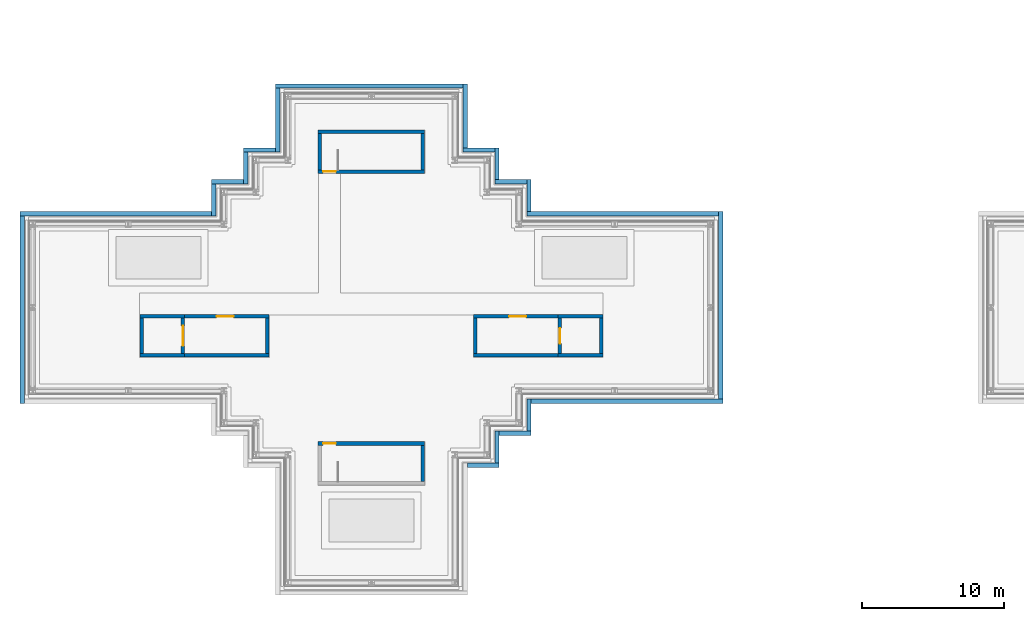
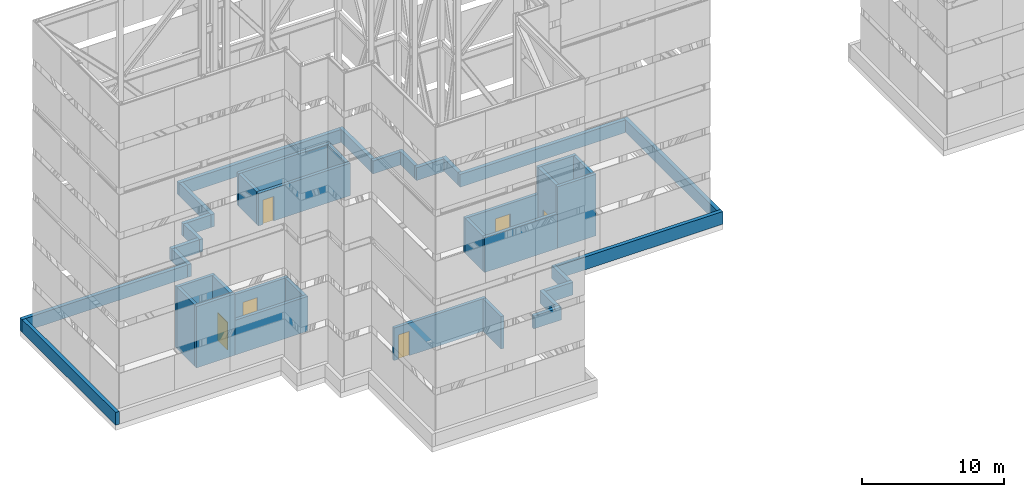
# One storey, part 10 of 19: 40 walls, 6 doors, 6 openings.
"""IFC4 building model written with IfcOpenShell, lengths in metres."""

from ifc_helpers import new_model, si_unit, direction, frame, frame_2d, origin, place, context, subcontext, project, spatial, rectangle, extrude, material, layer, layer_set, type_object, element, fill, save


model = new_model("IFC4")

# Units and contexts
model_context = context("Model", 3, precision=1e-05, world=origin(), true_north=direction((0.0, 1.0)))
body_context = subcontext(model_context, "Body", "Model", "MODEL_VIEW")
ifc_project = project(units=[si_unit("LENGTHUNIT", "METRE"), si_unit("AREAUNIT", "SQUARE_METRE"), si_unit("VOLUMEUNIT", "CUBIC_METRE"), si_unit("PLANEANGLEUNIT", "RADIAN"), si_unit("MASSUNIT", "GRAM", prefix="KILO")], contexts=[model_context])

# Site, building, storey
site_placement = place(None, origin())
site = spatial("IfcSite", under=ifc_project, at=site_placement, CompositionType="ELEMENT")
building_placement = place(site_placement, origin())
building = spatial("IfcBuilding", under=site, at=building_placement, Name="Shamsa Quay Exchange Towers", CompositionType="ELEMENT")
storey_placement = place(building_placement, frame((0.0, 0.0, 284.300048828125)))
storey = spatial("IfcBuildingStorey", under=building, at=storey_placement, Name="Roof", CompositionType="ELEMENT", Elevation=284.300048828125)

# Walls
ifc_material_1 = material(Name="Reinforced concrete C30/37", Category="concrete")
ifc_layer_1 = layer(ifc_material_1, 0.300048828125)
ifc_layer_set_1 = layer_set([ifc_layer_1], Name="ROOF PARAPET 300 C30/37")
wall_type_1 = type_object("IfcWallType", Name="ROOF PARAPET 300 C30/37", PredefinedType="PARAPET", material=ifc_layer_set_1)
wall_1_placement = place(storey_placement, frame((-27.0, -11.10009765625, 0.0)))
element("IfcWall", 1, at=wall_1_placement, inside=storey, type_object=wall_type_1, Name="Parapet T1 7", PredefinedType="PARAPET", context=body_context, shape_type="SweptSolid", body=[
    extrude(rectangle(XDim=2.25, YDim=0.300048828125, at=frame_2d((1.125, 0.0))), origin(), (0.0, 0.0, 1.0), 1.099853515625),
])
wall_2_placement = place(storey_placement, frame((-24.89990234375, -10.949951171875, 0.0), z_axis=(0.0, 0.0, 1.0), x_axis=(0.0, 1.0, 0.0)))
element("IfcWall", 2, at=wall_2_placement, inside=storey, type_object=wall_type_1, Name="Parapet T1 8", PredefinedType="PARAPET", context=body_context, shape_type="SweptSolid", body=[
    extrude(rectangle(XDim=2.25, YDim=0.300048828125, at=frame_2d((1.125, 0.0))), origin(), (0.0, 0.0, 1.0), 1.099853515625),
])
wall_3_placement = place(storey_placement, frame((-24.75, -8.85009765625, 0.0)))
element("IfcWall", 3, at=wall_3_placement, inside=storey, type_object=wall_type_1, Name="Parapet T1 9", PredefinedType="PARAPET", context=body_context, shape_type="SweptSolid", body=[
    extrude(rectangle(XDim=2.25, YDim=0.300048828125, at=frame_2d((1.125, 0.0))), origin(), (0.0, 0.0, 1.0), 1.099853515625),
])
wall_4_placement = place(storey_placement, frame((-22.64990234375, -8.699951171875, 0.0), z_axis=(0.0, 0.0, 1.0), x_axis=(0.0, 1.0, 0.0)))
element("IfcWall", 4, at=wall_4_placement, inside=storey, type_object=wall_type_1, Name="Parapet T1 10", PredefinedType="PARAPET", context=body_context, shape_type="SweptSolid", body=[
    extrude(rectangle(XDim=2.25, YDim=0.300048828125, at=frame_2d((1.125, 0.0))), origin(), (0.0, 0.0, 1.0), 1.099853515625),
])
wall_5_placement = place(storey_placement, frame((-22.5, -6.60009765625, 0.0)))
element("IfcWall", 5, at=wall_5_placement, inside=storey, type_object=wall_type_1, Name="Parapet T1 11", PredefinedType="PARAPET", context=body_context, shape_type="SweptSolid", body=[
    extrude(rectangle(XDim=13.5, YDim=0.300048828125, at=frame_2d((6.75, 0.0))), origin(), (0.0, 0.0, 1.0), 1.099853515625),
])
wall_6_placement = place(storey_placement, frame((-9.14990234375, -6.449951171875, 0.0), z_axis=(0.0, 0.0, 1.0), x_axis=(0.0, 1.0, 0.0)))
element("IfcWall", 6, at=wall_6_placement, inside=storey, type_object=wall_type_1, Name="Parapet T1 12", PredefinedType="PARAPET", context=body_context, shape_type="SweptSolid", body=[
    extrude(rectangle(XDim=13.199951171875, YDim=0.300048828125, at=frame_2d((6.60009765625, 0.0))), origin(), (0.0, 0.0, 1.0), 1.099853515625),
])
wall_7_placement = place(storey_placement, frame((-9.300048828125, 6.60009765625, 0.0), z_axis=(0.0, 0.0, 1.0), x_axis=(-1.0, 0.0, 0.0)))
element("IfcWall", 7, at=wall_7_placement, inside=storey, type_object=wall_type_1, Name="Parapet T1 13", PredefinedType="PARAPET", context=body_context, shape_type="SweptSolid", body=[
    extrude(rectangle(XDim=13.5, YDim=0.300048828125, at=frame_2d((6.75, 0.0))), origin(), (0.0, 0.0, 1.0), 1.099853515625),
])
for number, where, z_axis, x_axis, name in (
    (8, (-22.64990234375, 6.75, 0.0), (0.0, 0.0, 1.0), (0.0, 1.0, 0.0), "Parapet T1 14"),
    (9, (-22.800048828125, 8.85009765625, 0.0), (0.0, 0.0, 1.0), (-1.0, 0.0, 0.0), "Parapet T1 15"),
    (10, (-24.89990234375, 9.0, 0.0), (0.0, 0.0, 1.0), (0.0, 1.0, 0.0), "Parapet T1 16"),
    (11, (-25.050048828125, 11.10009765625, 0.0), (0.0, 0.0, 1.0), (-1.0, 0.0, 0.0), "Parapet T1 17"),
):
    element("IfcWall", number, at=place(storey_placement, frame(where, z_axis=z_axis, x_axis=x_axis)), inside=storey, type_object=wall_type_1, Name=name, PredefinedType="PARAPET", context=body_context, shape_type="SweptSolid", body=[
        extrude(rectangle(XDim=2.25, YDim=0.300048828125, at=frame_2d((1.125, 0.0))), origin(), (0.0, 0.0, 1.0), 1.099853515625),
    ])
wall_8_placement = place(storey_placement, frame((-27.14990234375, 11.25, 0.0), z_axis=(0.0, 0.0, 1.0), x_axis=(0.0, 1.0, 0.0)))
element("IfcWall", 12, at=wall_8_placement, inside=storey, type_object=wall_type_1, Name="Parapet T1 18", PredefinedType="PARAPET", context=body_context, shape_type="SweptSolid", body=[
    extrude(rectangle(XDim=4.5, YDim=0.300048828125, at=frame_2d((2.25, 0.0))), origin(), (0.0, 0.0, 1.0), 1.099853515625),
])
wall_9_placement = place(storey_placement, frame((-27.300048828125, 15.60009765625, 0.0), z_axis=(0.0, 0.0, 1.0), x_axis=(-1.0, 0.0, 0.0)))
element("IfcWall", 13, at=wall_9_placement, inside=storey, type_object=wall_type_1, Name="Parapet T1 19", PredefinedType="PARAPET", context=body_context, shape_type="SweptSolid", body=[
    extrude(rectangle(XDim=13.199951171875, YDim=0.300048828125, at=frame_2d((6.60009765625, 0.0))), origin(), (0.0, 0.0, 1.0), 1.099853515625),
])
wall_10_placement = place(storey_placement, frame((-40.35009765625, 15.449951171875, 0.0), z_axis=(0.0, 0.0, 1.0), x_axis=(0.0, -1.0, 0.0)))
element("IfcWall", 14, at=wall_10_placement, inside=storey, type_object=wall_type_1, Name="Parapet T1 20", PredefinedType="PARAPET", context=body_context, shape_type="SweptSolid", body=[
    extrude(rectangle(XDim=4.5, YDim=0.300048828125, at=frame_2d((2.25, 0.0))), origin(), (0.0, 0.0, 1.0), 1.099853515625),
])
for number, where, z_axis, x_axis, name in (
    (15, (-40.5, 11.10009765625, 0.0), (0.0, 0.0, 1.0), (-1.0, 0.0, 0.0), "Parapet T1 21"),
    (16, (-42.60009765625, 10.949951171875, 0.0), (0.0, 0.0, 1.0), (0.0, -1.0, 0.0), "Parapet T1 22"),
    (17, (-42.75, 8.85009765625, 0.0), (0.0, 0.0, 1.0), (-1.0, 0.0, 0.0), "Parapet T1 23"),
    (18, (-44.85009765625, 8.699951171875, 0.0), (0.0, 0.0, 1.0), (0.0, -1.0, 0.0), "Parapet T1 24"),
):
    element("IfcWall", number, at=place(storey_placement, frame(where, z_axis=z_axis, x_axis=x_axis)), inside=storey, type_object=wall_type_1, Name=name, PredefinedType="PARAPET", context=body_context, shape_type="SweptSolid", body=[
        extrude(rectangle(XDim=2.25, YDim=0.300048828125, at=frame_2d((1.125, 0.0))), origin(), (0.0, 0.0, 1.0), 1.099853515625),
    ])
wall_11_placement = place(storey_placement, frame((-45.0, 6.60009765625, 0.0), z_axis=(0.0, 0.0, 1.0), x_axis=(-1.0, 0.0, 0.0)))
element("IfcWall", 19, at=wall_11_placement, inside=storey, type_object=wall_type_1, Name="Parapet T1 25", PredefinedType="PARAPET", context=body_context, shape_type="SweptSolid", body=[
    extrude(rectangle(XDim=13.5, YDim=0.300048828125, at=frame_2d((6.75, 0.0))), origin(), (0.0, 0.0, 1.0), 1.099853515625),
])
wall_12_placement = place(storey_placement, frame((-58.35009765625, 6.449951171875, 0.0), z_axis=(0.0, 0.0, 1.0), x_axis=(0.0, -1.0, 0.0)))
element("IfcWall", 20, at=wall_12_placement, inside=storey, type_object=wall_type_1, Name="Parapet T1 26", PredefinedType="PARAPET", context=body_context, shape_type="SweptSolid", body=[
    extrude(rectangle(XDim=13.199951171875, YDim=0.300048828125, at=frame_2d((6.60009765625, 0.0))), origin(), (0.0, 0.0, 1.0), 1.099853515625),
])

# Wall, opening, door
ifc_material_2 = material(Name="Concrete C50/60", Category="concrete")
ifc_layer_2 = layer(ifc_material_2, 0.25)
ifc_layer_set_2 = layer_set([ifc_layer_2], Name="SHAFT WALL 250 C50/60")
wall_type_2 = type_object("IfcWallType", Name="SHAFT WALL 250 C50/60", PredefinedType="SHEAR", material=ifc_layer_set_2)
wall_13_placement = place(storey_placement, frame((-30.0, 9.574951171875, 0.0), z_axis=(0.0, 0.0, 1.0), x_axis=(-1.0, 0.0, 0.0)))
wall_13 = element("IfcWall", 21, at=wall_13_placement, inside=storey, type_object=wall_type_2, Name="Head-house wall RS1 S", PredefinedType="SHEAR", context=body_context, shape_type="SweptSolid", body=[
    extrude(rectangle(XDim=7.5, YDim=0.25, at=frame_2d((3.75, 0.0))), origin(), (0.0, 0.0, 1.0), 2.800048828125),
])
opening_1_placement = place(wall_13_placement, frame((6.25, 0.0, 0.0)))
opening_1 = element("IfcOpeningElement", 22, at=opening_1_placement, cuts=wall_13, Name="Opening RS1-Roof-SD01", PredefinedType="OPENING", context=body_context, shape_type="SweptSolid", body=[
    extrude(rectangle(XDim=0.89990234375, YDim=2.10009765625, at=frame_2d((0.449951171875, 1.050048828125))), frame((0.0, 0.135009765625, 0.0), z_axis=(0.0, -1.0, 0.0), x_axis=(1.0, 0.0, 0.0)), (0.0, 0.0, 1.0), 0.27001953125),
])
ifc_material_3 = material(Name="Steel, fire rated", Category="steel")
door_type_1 = type_object("IfcDoorType", Name="ROOF STAIR DOOR 900", OperationType="SINGLE_SWING_LEFT", PredefinedType="DOOR", material=ifc_material_3)
door_1_placement = place(opening_1_placement, origin())
door_1 = element("IfcDoor", 23, at=door_1_placement, inside=storey, type_object=door_type_1, Name="RS1-Roof-SD01", OperationType="SINGLE_SWING_RIGHT", OverallHeight=2.10009765625, OverallWidth=0.89990234375, PredefinedType="DOOR", context=body_context, shape_type="SweptSolid", body=[
    extrude(rectangle(XDim=0.89990234375, YDim=2.10009765625, at=frame_2d((0.449951171875, 1.050048828125))), frame((0.0, 0.02490234375, 0.0), z_axis=(0.0, -1.0, 0.0), x_axis=(1.0, 0.0, 0.0)), (0.0, 0.0, 1.0), 0.050048828125),
])
fill(opening_1, door_1)

# Walls
wall_14_placement = place(storey_placement, frame((-37.5, 12.375, 0.0)))
element("IfcWall", 24, at=wall_14_placement, inside=storey, type_object=wall_type_2, Name="Head-house wall RS1 N", PredefinedType="SHEAR", context=body_context, shape_type="SweptSolid", body=[
    extrude(rectangle(XDim=7.5, YDim=0.25, at=frame_2d((3.75, 0.0))), origin(), (0.0, 0.0, 1.0), 2.800048828125),
])
for number, where, z_axis, x_axis, name in (
    (25, (-37.375, 9.699951171875, 0.0), (0.0, 0.0, 1.0), (0.0, 1.0, 0.0), "Head-house wall RS1 W"),
    (26, (-30.125, 9.699951171875, 0.0), (0.0, 0.0, 1.0), (0.0, 1.0, 0.0), "Head-house wall RS1 E"),
):
    element("IfcWall", number, at=place(storey_placement, frame(where, z_axis=z_axis, x_axis=x_axis)), inside=storey, type_object=wall_type_2, Name=name, PredefinedType="SHEAR", context=body_context, shape_type="SweptSolid", body=[
        extrude(rectangle(XDim=2.550048828125, YDim=0.25, at=frame_2d((1.27490234375, 0.0))), origin(), (0.0, 0.0, 1.0), 2.800048828125),
    ])

# Wall, opening, door
wall_15_placement = place(storey_placement, frame((-37.5, -9.574951171875, 0.0)))
wall_15 = element("IfcWall", 27, at=wall_15_placement, inside=storey, type_object=wall_type_2, Name="Head-house wall RS2 S", PredefinedType="SHEAR", context=body_context, shape_type="SweptSolid", body=[
    extrude(rectangle(XDim=7.5, YDim=0.25, at=frame_2d((3.75, 0.0))), origin(), (0.0, 0.0, 1.0), 2.800048828125),
])
opening_2_placement = place(wall_15_placement, frame((0.35009765625, 0.0, 0.0)))
opening_2 = element("IfcOpeningElement", 28, at=opening_2_placement, cuts=wall_15, Name="Opening RS2-Roof-SD01", PredefinedType="OPENING", context=body_context, shape_type="SweptSolid", body=[
    extrude(rectangle(XDim=0.89990234375, YDim=2.10009765625, at=frame_2d((0.449951171875, 1.050048828125))), frame((0.0, 0.135009765625, 0.0), z_axis=(0.0, -1.0, 0.0), x_axis=(1.0, 0.0, 0.0)), (0.0, 0.0, 1.0), 0.27001953125),
])
door_2_placement = place(opening_2_placement, origin())
door_2 = element("IfcDoor", 29, at=door_2_placement, inside=storey, type_object=door_type_1, Name="RS2-Roof-SD01", OperationType="SINGLE_SWING_LEFT", OverallHeight=2.10009765625, OverallWidth=0.89990234375, PredefinedType="DOOR", context=body_context, shape_type="SweptSolid", body=[
    extrude(rectangle(XDim=0.89990234375, YDim=2.10009765625, at=frame_2d((0.449951171875, 1.050048828125))), frame((0.0, 0.02490234375, 0.0), z_axis=(0.0, -1.0, 0.0), x_axis=(1.0, 0.0, 0.0)), (0.0, 0.0, 1.0), 0.050048828125),
])
fill(opening_2, door_2)

# Walls
wall_16_placement = place(storey_placement, frame((-30.125, -12.25, 0.0), z_axis=(0.0, 0.0, 1.0), x_axis=(0.0, 1.0, 0.0)))
element("IfcWall", 30, at=wall_16_placement, inside=storey, type_object=wall_type_2, Name="Head-house wall RS2 E", PredefinedType="SHEAR", context=body_context, shape_type="SweptSolid", body=[
    extrude(rectangle(XDim=2.550048828125, YDim=0.25, at=frame_2d((1.27490234375, 0.0))), origin(), (0.0, 0.0, 1.0), 2.800048828125),
])
wall_17_placement = place(storey_placement, frame((-26.425048828125, -3.25, 0.0), z_axis=(0.0, 0.0, 1.0), x_axis=(0.0, 1.0, 0.0)))
element("IfcWall", 31, at=wall_17_placement, inside=storey, type_object=wall_type_2, Name="Lift head-house wall FL1 front", PredefinedType="SHEAR", context=body_context, shape_type="SweptSolid", body=[
    extrude(rectangle(XDim=2.5, YDim=0.25, at=frame_2d((1.25, 0.0))), origin(), (0.0, 0.0, 1.0), 3.0),
])
wall_18_placement = place(storey_placement, frame((-26.550048828125, -3.375, 0.0)))
element("IfcWall", 32, at=wall_18_placement, inside=storey, type_object=wall_type_2, Name="Lift head-house wall FL1 lobby south", PredefinedType="SHEAR", context=body_context, shape_type="SweptSolid", body=[
    extrude(rectangle(XDim=5.949951171875, YDim=0.25, at=frame_2d((2.97509765625, 0.0))), origin(), (0.0, 0.0, 1.0), 3.0),
])

# Wall, opening, door
wall_19_placement = place(storey_placement, frame((-26.550048828125, -0.625, 0.0)))
wall_19 = element("IfcWall", 33, at=wall_19_placement, inside=storey, type_object=wall_type_2, Name="Lift head-house wall FL1 lobby north", PredefinedType="SHEAR", context=body_context, shape_type="SweptSolid", body=[
    extrude(rectangle(XDim=5.949951171875, YDim=0.25, at=frame_2d((2.97509765625, 0.0))), origin(), (0.0, 0.0, 1.0), 3.0),
])
opening_3_placement = place(wall_19_placement, frame((2.5, 0.0, 0.0)))
opening_3 = element("IfcOpeningElement", 34, at=opening_3_placement, cuts=wall_19, Name="Opening FL1-Roof-FD01", PredefinedType="OPENING", context=body_context, shape_type="SweptSolid", body=[
    extrude(rectangle(XDim=1.199951171875, YDim=2.10009765625, at=frame_2d((0.60009765625, 1.050048828125))), frame((0.0, 0.135009765625, 0.0), z_axis=(0.0, -1.0, 0.0), x_axis=(1.0, 0.0, 0.0)), (0.0, 0.0, 1.0), 0.27001953125),
])
door_type_2 = type_object("IfcDoorType", Name="FIRE SERVICE LOBBY DOOR 1200", OperationType="SINGLE_SWING_LEFT", PredefinedType="DOOR", material=ifc_material_3)
door_3_placement = place(opening_3_placement, origin())
door_3 = element("IfcDoor", 35, at=door_3_placement, inside=storey, type_object=door_type_2, Name="Fire service lift lobby door FL1 roof", OperationType="SINGLE_SWING_RIGHT", OverallHeight=2.10009765625, OverallWidth=1.199951171875, PredefinedType="DOOR", context=body_context, shape_type="SweptSolid", body=[
    extrude(rectangle(XDim=1.199951171875, YDim=2.10009765625, at=frame_2d((0.60009765625, 1.050048828125))), frame((0.0, 0.02490234375, 0.0), z_axis=(0.0, -1.0, 0.0), x_axis=(1.0, 0.0, 0.0)), (0.0, 0.0, 1.0), 0.050048828125),
])
fill(opening_3, door_3)

# Walls
for number, where, name in (
    (36, (-20.60009765625, -3.375, 0.0), "Lift head-house wall FL1 shaft south"),
    (37, (-20.60009765625, -0.625, 0.0), "Lift head-house wall FL1 shaft north"),
):
    element("IfcWall", number, at=place(storey_placement, frame(where)), inside=storey, type_object=wall_type_2, Name=name, PredefinedType="SHEAR", context=body_context, shape_type="SweptSolid", body=[
        extrude(rectangle(XDim=3.150146484375, YDim=0.25, at=frame_2d((1.5751953125, 0.0))), origin(), (0.0, 0.0, 1.0), 5.300048828125),
    ])

# Wall, opening, door
wall_20_placement = place(storey_placement, frame((-20.47509765625, -3.25, 0.0), z_axis=(0.0, 0.0, 1.0), x_axis=(0.0, 1.0, 0.0)))
wall_20 = element("IfcWall", 38, at=wall_20_placement, inside=storey, type_object=wall_type_2, Name="Lift head-house wall FL1 shaft front", PredefinedType="SHEAR", context=body_context, shape_type="SweptSolid", body=[
    extrude(rectangle(XDim=2.5, YDim=0.25, at=frame_2d((1.25, 0.0))), origin(), (0.0, 0.0, 1.0), 5.300048828125),
])
opening_4_placement = place(wall_20_placement, frame((0.699951171875, 0.0, 0.0)))
opening_4 = element("IfcOpeningElement", 39, at=opening_4_placement, cuts=wall_20, Name="Opening FL1-Roof-LDF01", PredefinedType="OPENING", context=body_context, shape_type="SweptSolid", body=[
    extrude(rectangle(XDim=1.10009765625, YDim=2.10009765625, at=frame_2d((0.550048828125, 1.050048828125))), frame((0.0, 0.135009765625, 0.0), z_axis=(0.0, -1.0, 0.0), x_axis=(1.0, 0.0, 0.0)), (0.0, 0.0, 1.0), 0.27001953125),
])
door_type_3 = type_object("IfcDoorType", Name="FIRE SERVICE LANDING DOOR 1100", OperationType="SLIDING_TO_LEFT", PredefinedType="DOOR", material=ifc_material_3)
door_4_placement = place(opening_4_placement, origin())
door_4 = element("IfcDoor", 40, at=door_4_placement, inside=storey, type_object=door_type_3, Name="Fire service lift landing door FL1 roof", OperationType="SLIDING_TO_LEFT", OverallHeight=2.10009765625, OverallWidth=1.10009765625, PredefinedType="DOOR", context=body_context, shape_type="SweptSolid", body=[
    extrude(rectangle(XDim=1.10009765625, YDim=2.10009765625, at=frame_2d((0.550048828125, 1.050048828125))), frame((0.0, 0.02490234375, 0.0), z_axis=(0.0, -1.0, 0.0), x_axis=(1.0, 0.0, 0.0)), (0.0, 0.0, 1.0), 0.050048828125),
])
fill(opening_4, door_4)

# Walls
wall_21_placement = place(storey_placement, frame((-17.574951171875, -3.25, 0.0), z_axis=(0.0, 0.0, 1.0), x_axis=(0.0, 1.0, 0.0)))
element("IfcWall", 41, at=wall_21_placement, inside=storey, type_object=wall_type_2, Name="Lift head-house wall FL1 shaft back", PredefinedType="SHEAR", context=body_context, shape_type="SweptSolid", body=[
    extrude(rectangle(XDim=2.5, YDim=0.25, at=frame_2d((1.25, 0.0))), origin(), (0.0, 0.0, 1.0), 5.300048828125),
])
wall_22_placement = place(storey_placement, frame((-41.074951171875, -3.25, 0.0), z_axis=(0.0, 0.0, 1.0), x_axis=(0.0, 1.0, 0.0)))
element("IfcWall", 42, at=wall_22_placement, inside=storey, type_object=wall_type_2, Name="Lift head-house wall FL2 front", PredefinedType="SHEAR", context=body_context, shape_type="SweptSolid", body=[
    extrude(rectangle(XDim=2.5, YDim=0.25, at=frame_2d((1.25, 0.0))), origin(), (0.0, 0.0, 1.0), 3.0),
])
wall_23_placement = place(storey_placement, frame((-40.949951171875, -3.375, 0.0), z_axis=(0.0, 0.0, 1.0), x_axis=(-1.0, 0.0, 0.0)))
element("IfcWall", 43, at=wall_23_placement, inside=storey, type_object=wall_type_2, Name="Lift head-house wall FL2 lobby south", PredefinedType="SHEAR", context=body_context, shape_type="SweptSolid", body=[
    extrude(rectangle(XDim=5.949951171875, YDim=0.25, at=frame_2d((2.97509765625, 0.0))), origin(), (0.0, 0.0, 1.0), 3.0),
])

# Wall, opening, door
wall_24_placement = place(storey_placement, frame((-46.89990234375, -0.625, 0.0)))
wall_24 = element("IfcWall", 44, at=wall_24_placement, inside=storey, type_object=wall_type_2, Name="Lift head-house wall FL2 lobby north", PredefinedType="SHEAR", context=body_context, shape_type="SweptSolid", body=[
    extrude(rectangle(XDim=5.949951171875, YDim=0.25, at=frame_2d((2.97509765625, 0.0))), origin(), (0.0, 0.0, 1.0), 3.0),
])
opening_5_placement = place(wall_24_placement, frame((2.25, 0.0, 0.0)))
opening_5 = element("IfcOpeningElement", 45, at=opening_5_placement, cuts=wall_24, Name="Opening FL2-Roof-FD01", PredefinedType="OPENING", context=body_context, shape_type="SweptSolid", body=[
    extrude(rectangle(XDim=1.199951171875, YDim=2.10009765625, at=frame_2d((0.60009765625, 1.050048828125))), frame((0.0, 0.135009765625, 0.0), z_axis=(0.0, -1.0, 0.0), x_axis=(1.0, 0.0, 0.0)), (0.0, 0.0, 1.0), 0.27001953125),
])
door_5_placement = place(opening_5_placement, origin())
door_5 = element("IfcDoor", 46, at=door_5_placement, inside=storey, type_object=door_type_2, Name="Fire service lift lobby door FL2 roof", OperationType="SINGLE_SWING_LEFT", OverallHeight=2.10009765625, OverallWidth=1.199951171875, PredefinedType="DOOR", context=body_context, shape_type="SweptSolid", body=[
    extrude(rectangle(XDim=1.199951171875, YDim=2.10009765625, at=frame_2d((0.60009765625, 1.050048828125))), frame((0.0, 0.02490234375, 0.0), z_axis=(0.0, -1.0, 0.0), x_axis=(1.0, 0.0, 0.0)), (0.0, 0.0, 1.0), 0.050048828125),
])
fill(opening_5, door_5)

# Walls
for number, where, z_axis, x_axis, name in (
    (47, (-46.89990234375, -3.375, 0.0), (0.0, 0.0, 1.0), (-1.0, 0.0, 0.0), "Lift head-house wall FL2 shaft south"),
    (48, (-46.89990234375, -0.625, 0.0), (0.0, 0.0, 1.0), (-1.0, 0.0, 0.0), "Lift head-house wall FL2 shaft north"),
):
    element("IfcWall", number, at=place(storey_placement, frame(where, z_axis=z_axis, x_axis=x_axis)), inside=storey, type_object=wall_type_2, Name=name, PredefinedType="SHEAR", context=body_context, shape_type="SweptSolid", body=[
        extrude(rectangle(XDim=3.150146484375, YDim=0.25, at=frame_2d((1.5751953125, 0.0))), origin(), (0.0, 0.0, 1.0), 5.300048828125),
    ])

# Wall, opening, door
wall_25_placement = place(storey_placement, frame((-47.02490234375, -0.75, 0.0), z_axis=(0.0, 0.0, 1.0), x_axis=(0.0, -1.0, 0.0)))
wall_25 = element("IfcWall", 49, at=wall_25_placement, inside=storey, type_object=wall_type_2, Name="Lift head-house wall FL2 shaft front", PredefinedType="SHEAR", context=body_context, shape_type="SweptSolid", body=[
    extrude(rectangle(XDim=2.5, YDim=0.25, at=frame_2d((1.25, 0.0))), origin(), (0.0, 0.0, 1.0), 5.300048828125),
])
opening_6_placement = place(wall_25_placement, frame((0.550048828125, 0.0, 0.0)))
opening_6 = element("IfcOpeningElement", 50, at=opening_6_placement, cuts=wall_25, Name="Opening FL2-Roof-LDG01", PredefinedType="OPENING", context=body_context, shape_type="SweptSolid", body=[
    extrude(rectangle(XDim=1.39990234375, YDim=2.39990234375, at=frame_2d((0.699951171875, 1.199951171875))), frame((0.0, 0.135009765625, 0.0), z_axis=(0.0, -1.0, 0.0), x_axis=(1.0, 0.0, 0.0)), (0.0, 0.0, 1.0), 0.27001953125),
])
door_type_4 = type_object("IfcDoorType", Name="GOODS LIFT LANDING DOOR 1400", OperationType="SLIDING_TO_LEFT", PredefinedType="DOOR", material=ifc_material_3)
door_6_placement = place(opening_6_placement, origin())
door_6 = element("IfcDoor", 51, at=door_6_placement, inside=storey, type_object=door_type_4, Name="Fire service lift landing door FL2 roof", OperationType="SLIDING_TO_LEFT", OverallHeight=2.39990234375, OverallWidth=1.39990234375, PredefinedType="DOOR", context=body_context, shape_type="SweptSolid", body=[
    extrude(rectangle(XDim=1.39990234375, YDim=2.39990234375, at=frame_2d((0.699951171875, 1.199951171875))), frame((0.0, 0.02490234375, 0.0), z_axis=(0.0, -1.0, 0.0), x_axis=(1.0, 0.0, 0.0)), (0.0, 0.0, 1.0), 0.050048828125),
])
fill(opening_6, door_6)

# Wall
wall_26_placement = place(storey_placement, frame((-49.925048828125, -3.25, 0.0), z_axis=(0.0, 0.0, 1.0), x_axis=(0.0, 1.0, 0.0)))
element("IfcWall", 52, at=wall_26_placement, inside=storey, type_object=wall_type_2, Name="Lift head-house wall FL2 shaft back", PredefinedType="SHEAR", context=body_context, shape_type="SweptSolid", body=[
    extrude(rectangle(XDim=2.5, YDim=0.25, at=frame_2d((1.25, 0.0))), origin(), (0.0, 0.0, 1.0), 5.300048828125),
])

save(model, "model.ifc")
